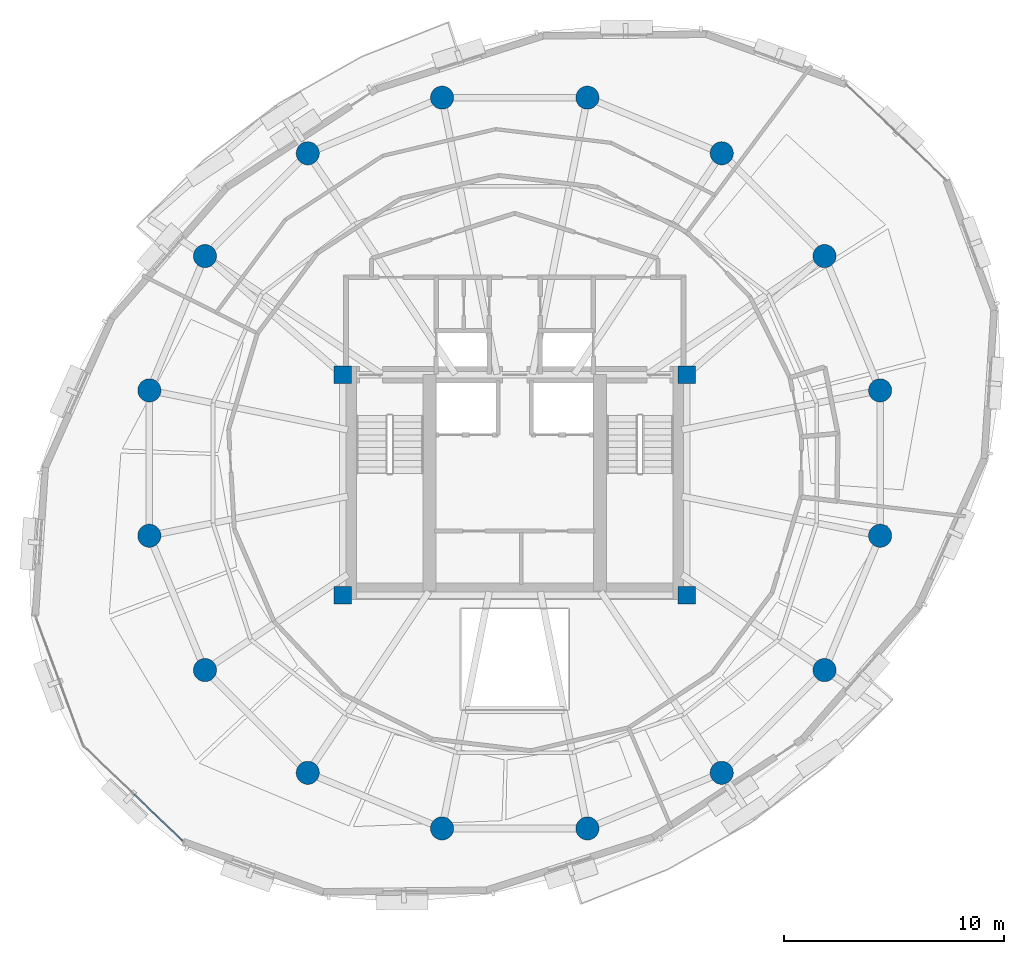
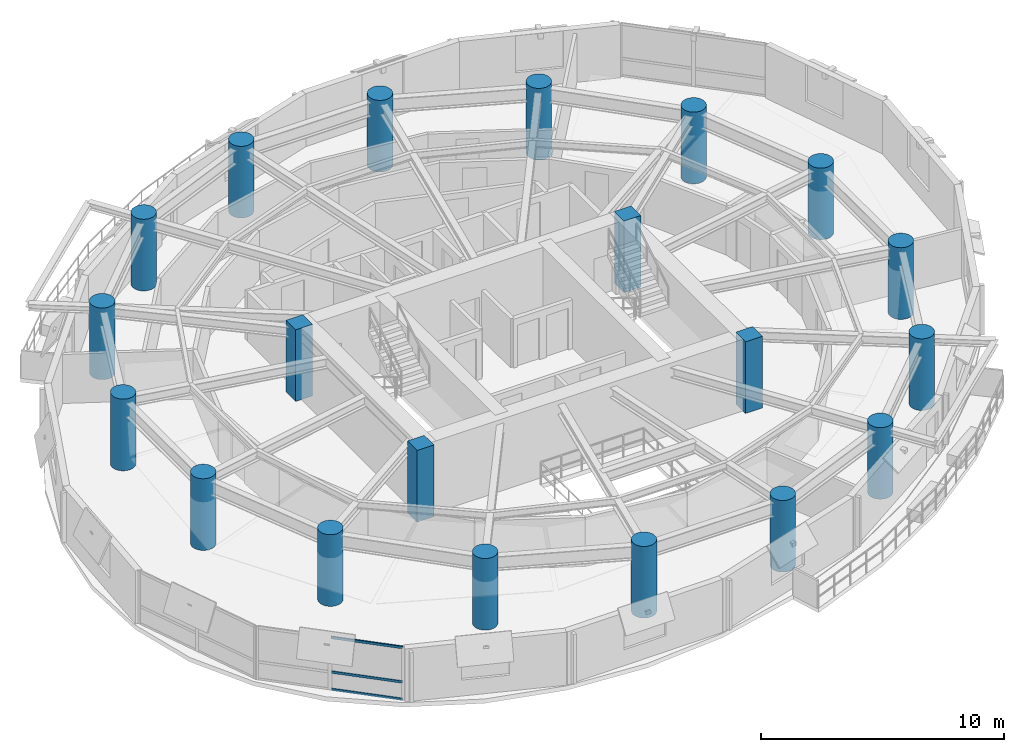
# One storey, part 1 of 12: 20 columns, 3 members, 1 element without a shape of its own.
"""IFC4 building model written with IfcOpenShell, lengths in metres."""

from ifc_helpers import new_model, si_unit, direction, frame, origin, origin_2d, place, context, subcontext, project, spatial, rectangle, hollow_rectangle, circle, extrude, material, layer, layer_set, material_profile, profile_set, type_object, element, aggregate, save


model = new_model("IFC4")

# Units and contexts
model_context = context("Model", 3, precision=1e-05, world=origin(), true_north=direction((0.0, 1.0)))
body_context = subcontext(model_context, "Body", "Model", "MODEL_VIEW")
ifc_project = project(units=[si_unit("LENGTHUNIT", "METRE"), si_unit("AREAUNIT", "SQUARE_METRE"), si_unit("VOLUMEUNIT", "CUBIC_METRE"), si_unit("PLANEANGLEUNIT", "RADIAN"), si_unit("MASSUNIT", "GRAM", prefix="KILO"), si_unit("THERMODYNAMICTEMPERATUREUNIT", "KELVIN"), si_unit("POWERUNIT", "WATT")], contexts=[model_context])

# Site, building, storey
site_placement = place(None, origin())
site = spatial("IfcSite", under=ifc_project, at=site_placement, CompositionType="ELEMENT")
building_placement = place(site_placement, origin())
building = spatial("IfcBuilding", under=site, at=building_placement, Name="Ocrelia Relay Tower", CompositionType="ELEMENT")
storey_placement = place(building_placement, frame((0.0, 0.0, 173.60009765625)))
storey = spatial("IfcBuildingStorey", under=building, at=storey_placement, Name="L41", CompositionType="ELEMENT", Elevation=173.60009765625)

# Columns
ifc_material_1 = material(Name="Concrete C60/75", Category="concrete")
ifc_material_profile_1 = material_profile(ifc_material_1, circle(Radius=0.52490234375, at=origin_2d()), Name="RC-CIR-1050")
ifc_profile_set_1 = profile_set([ifc_material_profile_1], Name="Concrete C60/75")
column_type_1 = type_object("IfcColumnType", Name="COL-CT-1050", PredefinedType="COLUMN", material=ifc_profile_set_1)
for number, where, z_axis, x_axis, name in (
    (1, (50.5751953125, 29.297119140625, 0.0), (0.0, 0.0, 1.0), (1.0, 0.0, 0.0), "L41 Perimeter Ring Column C01"),
    (2, (48.0517578125, 35.38916015625, 0.0), (0.0, 0.0, 1.0), (1.0, 0.0, 0.0), "L41 Perimeter Ring Column C02"),
    (3, (43.38916015625, 40.0517578125, 0.0), (0.0, 0.0, 1.0), (1.0, 0.0, 0.0), "L41 Perimeter Ring Column C03"),
    (4, (37.297119140625, 42.5751953125, 0.0), (0.0, 0.0, 1.0), (1.0, 0.0, 0.0), "L41 Perimeter Ring Column C04"),
    (5, (30.702880859375, 42.5751953125, 0.0), (0.0, 0.0, 1.0), (1.0, 0.0, 0.0), "L41 Perimeter Ring Column C05"),
    (6, (24.61083984375, 40.0517578125, 0.0), (0.0, 0.0, 1.0), (1.0, 0.0, 0.0), "L41 Perimeter Ring Column C06"),
    (7, (19.9482421875, 35.38916015625, 0.0), (0.0, 0.0, 1.0), (1.0, 0.0, 0.0), "L41 Perimeter Ring Column C07"),
    (8, (17.4248046875, 29.297119140625, 0.0), (0.0, 0.0, 1.0), (1.0, 0.0, 0.0), "L41 Perimeter Ring Column C08"),
    (9, (17.4248046875, 22.702880859375, 0.0), (0.0, 0.0, 1.0), (1.0, 0.0, 0.0), "L41 Perimeter Ring Column C09"),
    (10, (19.9482421875, 16.61083984375, 0.0), (0.0, 0.0, 1.0), (1.0, 0.0, 0.0), "L41 Perimeter Ring Column C10"),
    (11, (24.61083984375, 11.9482421875, 0.0), (0.0, 0.0, 1.0), (1.0, 0.0, 0.0), "L41 Perimeter Ring Column C11"),
    (12, (30.702880859375, 9.4248046875, 0.0), (0.0, 0.0, 1.0), (1.0, 0.0, 0.0), "L41 Perimeter Ring Column C12"),
    (13, (37.297119140625, 9.4248046875, 0.0), (0.0, 0.0, 1.0), (1.0, 0.0, 0.0), "L41 Perimeter Ring Column C13"),
    (14, (43.38916015625, 11.9482421875, 0.0), (0.0, 0.0, 1.0), (1.0, 0.0, 0.0), "L41 Perimeter Ring Column C14"),
    (15, (48.0517578125, 16.61083984375, 0.0), (0.0, 0.0, 1.0), (1.0, 0.0, 0.0), "L41 Perimeter Ring Column C15"),
    (16, (50.5751953125, 22.702880859375, 0.0), (0.0, 0.0, 1.0), (1.0, 0.0, 0.0), "L41 Perimeter Ring Column C16"),
):
    element("IfcColumn", number, at=place(storey_placement, frame(where, z_axis=z_axis, x_axis=x_axis)), inside=storey, type_object=column_type_1, Name=name, PredefinedType="COLUMN", context=body_context, shape_type="SweptSolid", body=[
        extrude(circle(Radius=0.52490234375, at=origin_2d()), origin(), (0.0, 0.0, 1.0), 3.599853515625),
    ])
ifc_material_profile_2 = material_profile(ifc_material_1, rectangle(XDim=0.800048828125, YDim=0.800048828125, at=origin_2d()), Name="RC-COL-800x800")
ifc_profile_set_2 = profile_set([ifc_material_profile_2], Name="Concrete C60/75")
column_type_2 = type_object("IfcColumnType", Name="COL-PILASTER-800", PredefinedType="PILASTER", material=ifc_profile_set_2)
for number, where, z_axis, x_axis, name in (
    (17, (26.199951171875, 20.0, 0.0), (0.0, 0.0, 1.0), (1.0, 0.0, 0.0), "L41 Core Corner Pilaster SW"),
    (18, (41.800048828125, 20.0, 0.0), (0.0, 0.0, 1.0), (1.0, 0.0, 0.0), "L41 Core Corner Pilaster SE"),
    (19, (26.199951171875, 30.0, 0.0), (0.0, 0.0, 1.0), (1.0, 0.0, 0.0), "L41 Core Corner Pilaster NW"),
    (20, (41.800048828125, 30.0, 0.0), (0.0, 0.0, 1.0), (1.0, 0.0, 0.0), "L41 Core Corner Pilaster NE"),
):
    element("IfcColumn", number, at=place(storey_placement, frame(where, z_axis=z_axis, x_axis=x_axis)), inside=storey, type_object=column_type_2, Name=name, PredefinedType="PILASTER", context=body_context, shape_type="SweptSolid", body=[
        extrude(rectangle(XDim=0.800048828125, YDim=0.800048828125, at=origin_2d()), origin(), (0.0, 0.0, 1.0), 3.599853515625),
    ])

# Curtain wall, members
ifc_material_2 = material(Name="Aluminium and solar-control low-E glass", Category="aluminium")
ifc_layer = layer(ifc_material_2, 0.179931640625, Name="Aluminium and solar-control low-E glass")
ifc_layer_set = layer_set([ifc_layer], Name="Aluminium and solar-control low-E glass")
curtain_wall_type = type_object("IfcCurtainWallType", Name="CW-SYS-Z3-CLOU", PredefinedType="NOTDEFINED", material=ifc_layer_set)
curtain_wall_placement = place(storey_placement, origin())
curtain_wall = element("IfcCurtainWall", 21, at=curtain_wall_placement, inside=storey, type_object=curtain_wall_type, Name="L41 Elliptical Tower Curtain Wall Bay 10", PredefinedType="NOTDEFINED")
ifc_material_3 = material(Name="Anodised bronze aluminium", Category="aluminium")
ifc_material_profile_3 = material_profile(ifc_material_3, hollow_rectangle(XDim=0.06005859375, YDim=0.1201171875, WallThickness=0.0048828125, at=origin_2d()), Name="CW-TRN-120x60")
ifc_profile_set_3 = profile_set([ifc_material_profile_3], Name="Anodised bronze aluminium")
member_type = type_object("IfcMemberType", Name="CW-SYS-Z3-CLOU-TRN", PredefinedType="USERDEFINED", material=ifc_profile_set_3)
member_1_placement = place(storey_placement, frame((16.722900390625, 10.974365234375, 0.02978515625), z_axis=(0.722103388293, -0.691785152064, 0.0), x_axis=(0.691785152064, 0.722103388293, 0.0)))
member_1 = element("IfcMember", 22, at=member_1_placement, type_object=member_type, Name="CW-Z3 transom 2.1", ObjectType="TRANSOM", PredefinedType="USERDEFINED", context=body_context, shape_type="SweptSolid", body=[
    extrude(hollow_rectangle(XDim=0.06005859375, YDim=0.1201171875, WallThickness=0.0048828125, at=origin_2d()), origin(), (0.0, 0.0, 1.0), 3.0439453125),
])
member_2_placement = place(storey_placement, frame((16.722900390625, 10.974365234375, 0.89990234375), z_axis=(0.722103388293, -0.691785152064, 0.0), x_axis=(0.691785152064, 0.722103388293, 0.0)))
member_2 = element("IfcMember", 23, at=member_2_placement, type_object=member_type, Name="CW-Z3 transom 2.2", ObjectType="TRANSOM", PredefinedType="USERDEFINED", context=body_context, shape_type="SweptSolid", body=[
    extrude(hollow_rectangle(XDim=0.06005859375, YDim=0.1201171875, WallThickness=0.0048828125, at=origin_2d()), origin(), (0.0, 0.0, 1.0), 3.0439453125),
])
member_3_placement = place(storey_placement, frame((16.722900390625, 10.974365234375, 2.6298828125), z_axis=(0.722103388293, -0.691785152064, 0.0), x_axis=(0.691785152064, 0.722103388293, 0.0)))
member_3 = element("IfcMember", 24, at=member_3_placement, type_object=member_type, Name="CW-Z3 transom 2.3", ObjectType="TRANSOM", PredefinedType="USERDEFINED", context=body_context, shape_type="SweptSolid", body=[
    extrude(hollow_rectangle(XDim=0.06005859375, YDim=0.1201171875, WallThickness=0.0048828125, at=origin_2d()), origin(), (0.0, 0.0, 1.0), 3.0439453125),
])
aggregate(curtain_wall, [member_1, member_2, member_3])

save(model, "model.ifc")
